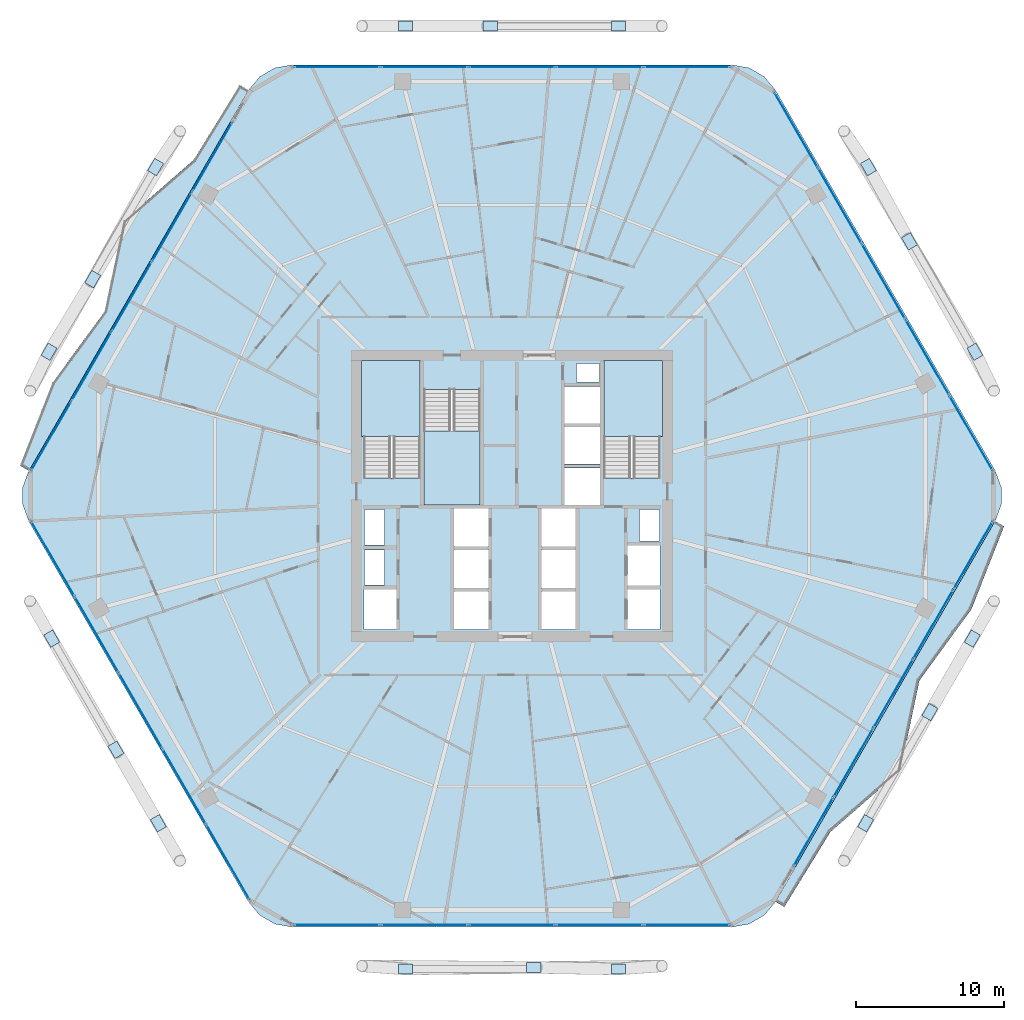
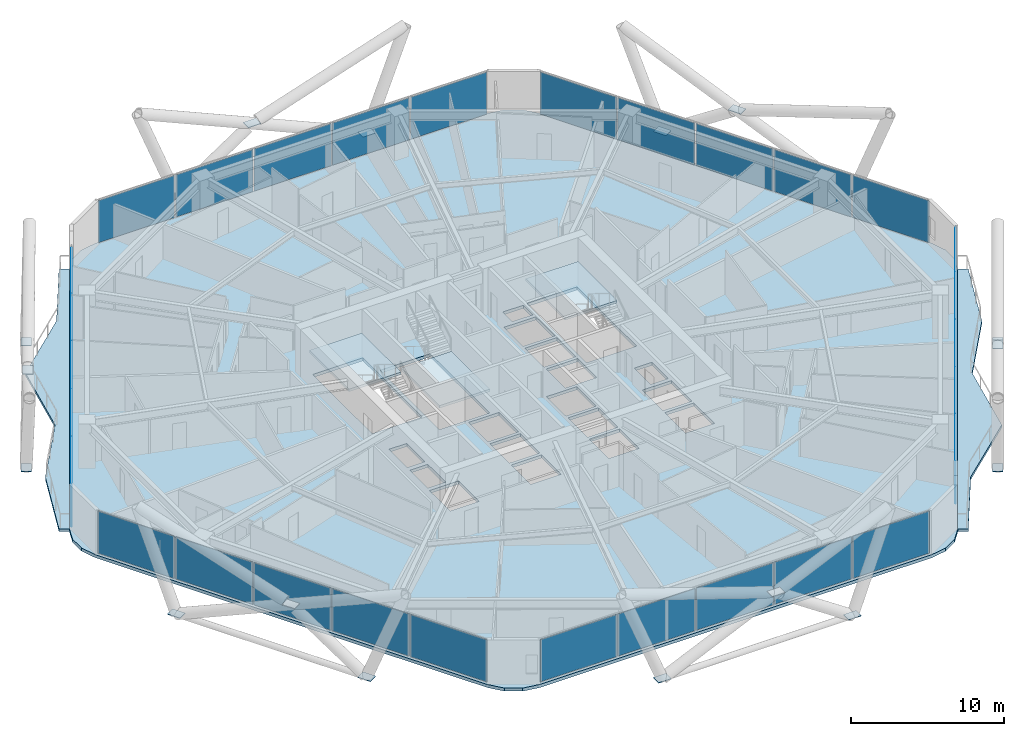
# One storey, part 26 of 34: 48 plates, 6 slabs, 9 elements without a shape of their own.
"""IFC4 building model written with IfcOpenShell, lengths in metres."""

from ifc_helpers import new_model, si_unit, direction, frame, origin, origin_2d, place, context, subcontext, project, spatial, polyline, rectangle, outline, extrude, material, layer, layer_set, type_object, element, aggregate, save


model = new_model("IFC4")

# Units and contexts
model_context = context("Model", 3, precision=1e-05, world=origin(), true_north=direction((0.0, 1.0)))
body_context = subcontext(model_context, "Body", "Model", "MODEL_VIEW")
ifc_project = project(units=[si_unit("LENGTHUNIT", "METRE"), si_unit("AREAUNIT", "SQUARE_METRE"), si_unit("VOLUMEUNIT", "CUBIC_METRE"), si_unit("PLANEANGLEUNIT", "RADIAN"), si_unit("MASSUNIT", "GRAM", prefix="KILO")], contexts=[model_context])

# Site, building, storey
site_placement = place(None, origin())
site = spatial("IfcSite", under=ifc_project, at=site_placement, CompositionType="ELEMENT")
building_placement = place(site_placement, origin())
building = spatial("IfcBuilding", under=site, at=building_placement, Name="Zuhravey Tower", CompositionType="ELEMENT")
storey_placement = place(building_placement, frame((0.0, 0.0, 130.39990234375)))
storey = spatial("IfcBuildingStorey", under=building, at=storey_placement, Name="L32", CompositionType="ELEMENT", Elevation=130.39990234375)

# Plates
ifc_material_1 = material(Name="Steel SM460", Category="steel")
ifc_layer_1 = layer(ifc_material_1, 0.0400390625)
ifc_layer_set_1 = layer_set([ifc_layer_1], Name="Steel SM460")
plate_type_1 = type_object("IfcPlateType", Name="Exoskeleton Zone 1 Node Plate ND1", PredefinedType="SHEET", material=ifc_layer_set_1)
for number, where, z_axis, x_axis, name in (
    (1, (67.247802734375, 41.734130859375, -0.48388671875), (0.0, 0.0, 1.0), (-0.5, 0.866025403784, 0.0), "L32 Exoskeleton Node Gusset L32-01"),
    (2, (60.053955078125, 54.1943359375, -0.48388671875), (0.0, 0.0, 1.0), (-0.5, 0.866025403784, 0.0), "L32 Exoskeleton Node Gusset L32-02"),
    (3, (43.19384765625, 63.718505859375, -0.48388671875), (0.0, 0.0, 1.0), (-1.0, 0.0, 0.0), "L32 Exoskeleton Node Gusset L32-03"),
    (4, (28.80615234375, 63.718505859375, -0.48388671875), (0.0, 0.0, 1.0), (-1.0, 0.0, 0.0), "L32 Exoskeleton Node Gusset L32-04"),
    (5, (11.946044921875, 54.1943359375, -0.48388671875), (0.0, 0.0, 1.0), (-0.5, -0.866025403784, 0.0), "L32 Exoskeleton Node Gusset L32-05"),
    (6, (4.752197265625, 41.734130859375, -0.48388671875), (0.0, 0.0, 1.0), (-0.5, -0.866025403784, 0.0), "L32 Exoskeleton Node Gusset L32-06"),
    (7, (4.93408203125, 22.370849609375, -0.48388671875), (0.0, 0.0, 1.0), (0.5, -0.866025403784, 0.0), "L32 Exoskeleton Node Gusset L32-07"),
    (8, (12.1279296875, 9.91064453125, -0.48388671875), (0.0, 0.0, 1.0), (0.5, -0.866025403784, 0.0), "L32 Exoskeleton Node Gusset L32-08"),
    (9, (28.80615234375, 0.071533203125, -0.48388671875), (0.0, 0.0, 1.0), (1.0, 0.0, 0.0), "L32 Exoskeleton Node Gusset L32-09"),
    (10, (43.19384765625, 0.071533203125, -0.48388671875), (0.0, 0.0, 1.0), (1.0, 0.0, 0.0), "L32 Exoskeleton Node Gusset L32-10"),
    (11, (59.8720703125, 9.91064453125, -0.48388671875), (0.0, 0.0, 1.0), (0.5, 0.866025403784, 0.0), "L32 Exoskeleton Node Gusset L32-11"),
    (12, (67.06591796875, 22.370849609375, -0.48388671875), (0.0, 0.0, 1.0), (0.5, 0.866025403784, 0.0), "L32 Exoskeleton Node Gusset L32-12"),
    (13, (62.82421875, 49.18603515625, 3.316162109375), (0.0, 0.0, 1.0), (-0.5, 0.866025403784, 0.0), "L32 Face 1 Diagrid X-Crossing Plate"),
    (14, (34.528564453125, 63.718505859375, 3.316162109375), (0.0, 0.0, 1.0), (-1.0, 0.0, 0.0), "L32 Face 2 Diagrid X-Crossing Plate"),
    (15, (7.704345703125, 46.637451171875, 3.316162109375), (0.0, 0.0, 1.0), (-0.5, -0.866025403784, 0.0), "L32 Face 3 Diagrid X-Crossing Plate"),
    (16, (9.266845703125, 14.866455078125, 3.316162109375), (0.0, 0.0, 1.0), (0.5, -0.866025403784, 0.0), "L32 Face 4 Diagrid X-Crossing Plate"),
    (17, (37.471435546875, 0.176513671875, 3.316162109375), (0.0, 0.0, 1.0), (1.0, 0.0, 0.0), "L32 Face 5 Diagrid X-Crossing Plate"),
    (18, (64.204833984375, 17.4150390625, 3.316162109375), (0.0, 0.0, 1.0), (0.5, 0.866025403784, 0.0), "L32 Face 6 Diagrid X-Crossing Plate"),
):
    element("IfcPlate", number, at=place(storey_placement, frame(where, z_axis=z_axis, x_axis=x_axis)), inside=storey, type_object=plate_type_1, Name=name, PredefinedType="SHEET", context=body_context, shape_type="SweptSolid", body=[
        extrude(rectangle(XDim=0.9599609375, YDim=0.699951171875, at=origin_2d()), origin(), (0.0, 0.0, 1.0), 0.0400390625),
    ])

# Slabs
ifc_material_2 = material(Name="Concrete C50/60", Category="concrete")
ifc_layer_2 = layer(ifc_material_2, 0.25)
ifc_layer_set_2 = layer_set([ifc_layer_2], Name="Concrete C50/60")
slab_type_1 = type_object("IfcSlabType", Name="Residential Acoustic Slab 250", PredefinedType="FLOOR", material=ifc_layer_set_2)
slab_1_placement = place(storey_placement, frame((0.0, 0.0, -0.25)))
element("IfcSlab", 19, at=slab_1_placement, inside=storey, type_object=slab_type_1, Name="L32 Floor Slab FS25", PredefinedType="FLOOR", context=body_context, shape_type="SweptSolid", body=[
    extrude(outline(polyline([(68.618408203125, 30.300048828125), (69.0224609375, 31.40966796875), (69.0224609375, 32.59033203125), (68.618408203125, 33.699951171875), (53.781494140625, 59.3984375), (53.0224609375, 60.302978515625), (52.0, 60.893310546875), (50.8369140625, 61.098388671875), (21.1630859375, 61.098388671875), (20.0, 60.893310546875), (18.9775390625, 60.302978515625), (18.218505859375, 59.3984375), (3.381591796875, 33.699951171875), (2.9775390625, 32.59033203125), (2.9775390625, 31.40966796875), (3.381591796875, 30.300048828125), (18.218505859375, 4.6015625), (18.9775390625, 3.697021484375), (20.0, 3.106689453125), (21.1630859375, 2.901611328125), (50.8369140625, 2.901611328125), (52.0, 3.106689453125), (53.0224609375, 3.697021484375), (53.781494140625, 4.6015625), (68.618408203125, 30.300048828125)]), holes=[polyline([(29.800048828125, 33.20068359375), (29.800048828125, 41.0), (26.0, 41.0), (26.0, 33.20068359375), (29.800048828125, 33.20068359375)]), polyline([(46.0, 33.20068359375), (46.0, 41.0), (42.199951171875, 41.0), (42.199951171875, 33.20068359375), (46.0, 33.20068359375)]), polyline([(30.050048828125, 39.199462890625), (30.050048828125, 31.39990234375), (33.85009765625, 31.39990234375), (33.85009765625, 39.199462890625), (30.050048828125, 39.199462890625)]), polyline([(32.10009765625, 23.0), (34.39990234375, 23.0), (34.39990234375, 25.550048828125), (32.10009765625, 25.550048828125), (32.10009765625, 23.0)]), polyline([(32.10009765625, 25.800048828125), (34.39990234375, 25.800048828125), (34.39990234375, 28.35009765625), (32.10009765625, 28.35009765625), (32.10009765625, 25.800048828125)]), polyline([(32.10009765625, 28.60009765625), (34.39990234375, 28.60009765625), (34.39990234375, 31.14990234375), (32.10009765625, 31.14990234375), (32.10009765625, 28.60009765625)]), polyline([(38.0, 23.0), (40.300048828125, 23.0), (40.300048828125, 25.550048828125), (38.0, 25.550048828125), (38.0, 23.0)]), polyline([(38.0, 25.800048828125), (40.300048828125, 25.800048828125), (40.300048828125, 28.35009765625), (38.0, 28.35009765625), (38.0, 25.800048828125)]), polyline([(38.0, 28.60009765625), (40.300048828125, 28.60009765625), (40.300048828125, 31.14990234375), (38.0, 31.14990234375), (38.0, 28.60009765625)]), polyline([(39.550048828125, 31.39990234375), (41.949951171875, 31.39990234375), (41.949951171875, 33.89990234375), (39.550048828125, 33.89990234375), (39.550048828125, 31.39990234375)]), polyline([(39.550048828125, 34.14990234375), (41.949951171875, 34.14990234375), (41.949951171875, 36.64990234375), (39.550048828125, 36.64990234375), (39.550048828125, 34.14990234375)]), polyline([(39.550048828125, 36.89990234375), (41.949951171875, 36.89990234375), (41.949951171875, 39.39990234375), (39.550048828125, 39.39990234375), (39.550048828125, 36.89990234375)]), polyline([(26.0, 23.0), (28.199951171875, 23.0), (28.199951171875, 25.699951171875), (26.0, 25.699951171875), (26.0, 23.0)]), polyline([(43.800048828125, 23.0), (46.0, 23.0), (46.0, 25.699951171875), (43.800048828125, 25.699951171875), (43.800048828125, 23.0)]), polyline([(43.800048828125, 25.949951171875), (46.0, 25.949951171875), (46.0, 28.64990234375), (43.800048828125, 28.64990234375), (43.800048828125, 25.949951171875)]), polyline([(26.050048828125, 26.0), (27.39990234375, 26.0), (27.39990234375, 28.35009765625), (26.050048828125, 28.35009765625), (26.050048828125, 26.0)]), polyline([(26.050048828125, 28.699951171875), (27.39990234375, 28.699951171875), (27.39990234375, 31.10009765625), (26.050048828125, 31.10009765625), (26.050048828125, 28.699951171875)]), polyline([(44.60009765625, 28.949951171875), (45.949951171875, 28.949951171875), (45.949951171875, 31.10009765625), (44.60009765625, 31.10009765625), (44.60009765625, 28.949951171875)]), polyline([(40.35009765625, 39.699951171875), (41.89990234375, 39.699951171875), (41.89990234375, 40.949951171875), (40.35009765625, 40.949951171875), (40.35009765625, 39.699951171875)])]), origin(), (0.0, 0.0, 1.0), 0.25),
])
ifc_material_3 = material(Name="Concrete C40/50", Category="concrete")
ifc_layer_3 = layer(ifc_material_3, 0.219970703125)
ifc_layer_set_3 = layer_set([ifc_layer_3], Name="Concrete C40/50")
slab_type_2 = type_object("IfcSlabType", Name="Sinusoidal Residential Wave Balcony 220", PredefinedType="FLOOR", material=ifc_layer_set_3)
slab_2_placement = place(storey_placement, frame((0.0, 0.0, -0.219970703125)))
element("IfcSlab", 20, at=slab_2_placement, inside=storey, type_object=slab_type_2, Name="L32 Face 3 Wave Balcony WB22", PredefinedType="FLOOR", context=body_context, shape_type="SweptSolid", body=[
    extrude(outline(polyline([(18.227294921875, 59.383544921875), (3.398681640625, 33.699951171875), (2.79248046875, 34.050048828125), (4.98486328125, 39.63330078125), (8.50244140625, 44.451416015625), (9.785888671875, 50.55908203125), (14.513916015625, 54.678466796875), (17.62109375, 59.7333984375), (18.227294921875, 59.383544921875)])), origin(), (0.0, 0.0, 1.0), 0.219970703125),
])
slab_3_placement = place(storey_placement, frame((0.0, 0.0, -0.219970703125)))
element("IfcSlab", 21, at=slab_3_placement, inside=storey, type_object=slab_type_2, Name="L32 Face 6 Wave Balcony WB22", PredefinedType="FLOOR", context=body_context, shape_type="SweptSolid", body=[
    extrude(outline(polyline([(53.772705078125, 4.616455078125), (68.601318359375, 30.300048828125), (69.20751953125, 29.949951171875), (67.01513671875, 24.36669921875), (63.49755859375, 19.548583984375), (62.214111328125, 13.44091796875), (57.486083984375, 9.321533203125), (54.37890625, 4.2666015625), (53.772705078125, 4.616455078125)])), origin(), (0.0, 0.0, 1.0), 0.219970703125),
])

# Stair, slab
stair_type = type_object("IfcStairType", Name="Housing Storey Stair Assembly 3800", PredefinedType="HALF_TURN_STAIR", material=ifc_material_3)
stair_1_placement = place(storey_placement, origin())
stair_1 = element("IfcStair", 22, at=stair_1_placement, inside=storey, type_object=stair_type, Name="L32 Core Exit Stair ST1", PredefinedType="HALF_TURN_STAIR")
ifc_layer_4 = layer(ifc_material_3, 0.199951171875)
ifc_layer_set_4 = layer_set([ifc_layer_4], Name="Concrete C40/50")
slab_type_3 = type_object("IfcSlabType", Name="Stair Landing Slab 200", PredefinedType="LANDING", material=ifc_layer_set_4)
slab_4_placement = place(storey_placement, frame((0.0, 0.0, 1.7001953125)))
slab_4 = element("IfcSlab", 23, at=slab_4_placement, type_object=slab_type_3, Name="ST1 landing 1", PredefinedType="LANDING", context=body_context, shape_type="SweptSolid", body=[
    extrude(outline(polyline([(29.800048828125, 36.0), (29.800048828125, 41.14794921875), (25.85205078125, 41.14794921875), (25.85205078125, 36.0), (29.800048828125, 36.0)])), origin(), (0.0, 0.0, 1.0), 0.199951171875),
])
aggregate(stair_1, [slab_4])

stair_2_placement = place(storey_placement, origin())
stair_2 = element("IfcStair", 24, at=stair_2_placement, inside=storey, type_object=stair_type, Name="L32 Core Exit Stair ST2", PredefinedType="HALF_TURN_STAIR")
slab_5_placement = place(storey_placement, frame((0.0, 0.0, 1.7001953125)))
slab_5 = element("IfcSlab", 25, at=slab_5_placement, type_object=slab_type_3, Name="ST2 landing 1", PredefinedType="LANDING", context=body_context, shape_type="SweptSolid", body=[
    extrude(outline(polyline([(46.14794921875, 36.0), (46.14794921875, 41.14794921875), (42.199951171875, 41.14794921875), (42.199951171875, 36.0), (46.14794921875, 36.0)])), origin(), (0.0, 0.0, 1.0), 0.199951171875),
])
aggregate(stair_2, [slab_5])

stair_3_placement = place(storey_placement, origin())
stair_3 = element("IfcStair", 26, at=stair_3_placement, inside=storey, type_object=stair_type, Name="L32 Core Exit Stair ST3", PredefinedType="HALF_TURN_STAIR")
slab_6_placement = place(storey_placement, frame((0.0, 0.0, 1.7001953125)))
slab_6 = element("IfcSlab", 27, at=slab_6_placement, type_object=slab_type_3, Name="ST3 landing 1", PredefinedType="LANDING", context=body_context, shape_type="SweptSolid", body=[
    extrude(outline(polyline([(30.050048828125, 36.39990234375), (30.050048828125, 31.39990234375), (33.85009765625, 31.39990234375), (33.85009765625, 36.39990234375), (30.050048828125, 36.39990234375)])), origin(), (0.0, 0.0, 1.0), 0.199951171875),
])
aggregate(stair_3, [slab_6])

# Curtain wall, plates
ifc_material_4 = material(Name="Thermally broken anodised aluminium", Category="aluminium")
curtain_wall_type = type_object("IfcCurtainWallType", Name="Zone 1-2 Residential Curtain Wall CW3", PredefinedType="NOTDEFINED", material=ifc_material_4)
curtain_wall_1_placement = place(storey_placement, origin())
curtain_wall_1 = element("IfcCurtainWall", 28, at=curtain_wall_1_placement, inside=storey, type_object=curtain_wall_type, Name="L32 CW3 CW-L32-F6-1", PredefinedType="NOTDEFINED")
ifc_material_5 = material(Name="Triple low-E insulated vision glass", Category="glass")
ifc_layer_5 = layer(ifc_material_5, 0.0419921875)
ifc_layer_set_5 = layer_set([ifc_layer_5], Name="Triple low-E insulated vision glass")
plate_type_2 = type_object("IfcPlateType", Name="Triple Low-E Vision Panel", PredefinedType="CURTAIN_PANEL", material=ifc_layer_set_5)
plate_1_placement = place(storey_placement, frame((67.118896484375, 27.982421875, 0.090087890625), z_axis=(0.0, 0.0, 1.0), x_axis=(-0.499999567908, -0.866025653253, 0.0)))
plate_1 = element("IfcPlate", 29, at=plate_1_placement, type_object=plate_type_2, Name="CW3 panel 1.1", PredefinedType="CURTAIN_PANEL", context=body_context, shape_type="SweptSolid", body=[
    extrude(rectangle(XDim=5.258544921875, YDim=0.0419921875, at=origin_2d()), origin(), (0.0, 0.0, 1.0), 3.3701171875),
])
plate_2_placement = place(storey_placement, frame((64.433349609375, 23.3310546875, 0.090087890625), z_axis=(0.0, 0.0, 1.0), x_axis=(-0.499999567908, -0.866025653253, 0.0)))
plate_2 = element("IfcPlate", 30, at=plate_2_placement, type_object=plate_type_2, Name="CW3 panel 2.1", PredefinedType="CURTAIN_PANEL", context=body_context, shape_type="SweptSolid", body=[
    extrude(rectangle(XDim=5.3037109375, YDim=0.0419921875, at=origin_2d()), origin(), (0.0, 0.0, 1.0), 3.3701171875),
])
plate_3_placement = place(storey_placement, frame((61.736572265625, 18.659912109375, 0.090087890625), z_axis=(0.0, 0.0, 1.0), x_axis=(-0.499999567908, -0.866025653253, 0.0)))
plate_3 = element("IfcPlate", 31, at=plate_3_placement, type_object=plate_type_2, Name="CW3 panel 3.1", PredefinedType="CURTAIN_PANEL", context=body_context, shape_type="SweptSolid", body=[
    extrude(rectangle(XDim=5.3037109375, YDim=0.0419921875, at=origin_2d()), origin(), (0.0, 0.0, 1.0), 3.3701171875),
])
plate_4_placement = place(storey_placement, frame((59.039794921875, 13.989013671875, 0.090087890625), z_axis=(0.0, 0.0, 1.0), x_axis=(-0.499999567908, -0.866025653253, 0.0)))
plate_4 = element("IfcPlate", 32, at=plate_4_placement, type_object=plate_type_2, Name="CW3 panel 4.1", PredefinedType="CURTAIN_PANEL", context=body_context, shape_type="SweptSolid", body=[
    extrude(rectangle(XDim=5.3037109375, YDim=0.0419921875, at=origin_2d()), origin(), (0.0, 0.0, 1.0), 3.3701171875),
])
plate_5_placement = place(storey_placement, frame((56.354248046875, 9.33740234375, 0.090087890625), z_axis=(0.0, 0.0, 1.0), x_axis=(-0.499999567908, -0.866025653253, 0.0)))
plate_5 = element("IfcPlate", 33, at=plate_5_placement, type_object=plate_type_2, Name="CW3 panel 5.1", PredefinedType="CURTAIN_PANEL", context=body_context, shape_type="SweptSolid", body=[
    extrude(rectangle(XDim=5.258544921875, YDim=0.0419921875, at=origin_2d()), origin(), (0.0, 0.0, 1.0), 3.3701171875),
])
aggregate(curtain_wall_1, [plate_1, plate_2, plate_3, plate_4, plate_5])

curtain_wall_2_placement = place(storey_placement, origin())
curtain_wall_2 = element("IfcCurtainWall", 34, at=curtain_wall_2_placement, inside=storey, type_object=curtain_wall_type, Name="L32 CW3 CW-L32-F5-1", PredefinedType="NOTDEFINED")
plate_6_placement = place(storey_placement, frame((47.817138671875, 3.04150390625, 0.090087890625), z_axis=(0.0, 0.0, 1.0), x_axis=(-1.0, 0.0, 0.0)))
plate_6 = element("IfcPlate", 35, at=plate_6_placement, type_object=plate_type_2, Name="CW3 panel 1.1", PredefinedType="CURTAIN_PANEL", context=body_context, shape_type="SweptSolid", body=[
    extrude(rectangle(XDim=5.784912109375, YDim=0.0419921875, at=origin_2d()), origin(), (0.0, 0.0, 1.0), 3.3701171875),
])
plate_7_placement = place(storey_placement, frame((41.919921875, 3.04150390625, 0.090087890625), z_axis=(0.0, 0.0, 1.0), x_axis=(-1.0, 0.0, 0.0)))
plate_7 = element("IfcPlate", 36, at=plate_7_placement, type_object=plate_type_2, Name="CW3 panel 2.1", PredefinedType="CURTAIN_PANEL", context=body_context, shape_type="SweptSolid", body=[
    extrude(rectangle(XDim=5.829833984375, YDim=0.0419921875, at=origin_2d()), origin(), (0.0, 0.0, 1.0), 3.3701171875),
])
plate_8_placement = place(storey_placement, frame((36.0, 3.04150390625, 0.090087890625), z_axis=(0.0, 0.0, 1.0), x_axis=(-1.0, 0.0, 0.0)))
plate_8 = element("IfcPlate", 37, at=plate_8_placement, type_object=plate_type_2, Name="CW3 panel 3.1", PredefinedType="CURTAIN_PANEL", context=body_context, shape_type="SweptSolid", body=[
    extrude(rectangle(XDim=5.829833984375, YDim=0.0419921875, at=origin_2d()), origin(), (0.0, 0.0, 1.0), 3.3701171875),
])
plate_9_placement = place(storey_placement, frame((30.080078125, 3.04150390625, 0.090087890625), z_axis=(0.0, 0.0, 1.0), x_axis=(-1.0, 0.0, 0.0)))
plate_9 = element("IfcPlate", 38, at=plate_9_placement, type_object=plate_type_2, Name="CW3 panel 4.1", PredefinedType="CURTAIN_PANEL", context=body_context, shape_type="SweptSolid", body=[
    extrude(rectangle(XDim=5.829833984375, YDim=0.0419921875, at=origin_2d()), origin(), (0.0, 0.0, 1.0), 3.3701171875),
])
plate_10_placement = place(storey_placement, frame((24.182861328125, 3.04150390625, 0.090087890625), z_axis=(0.0, 0.0, 1.0), x_axis=(-1.0, 0.0, 0.0)))
plate_10 = element("IfcPlate", 39, at=plate_10_placement, type_object=plate_type_2, Name="CW3 panel 5.1", PredefinedType="CURTAIN_PANEL", context=body_context, shape_type="SweptSolid", body=[
    extrude(rectangle(XDim=5.784912109375, YDim=0.0419921875, at=origin_2d()), origin(), (0.0, 0.0, 1.0), 3.3701171875),
])
aggregate(curtain_wall_2, [plate_6, plate_7, plate_8, plate_9, plate_10])

curtain_wall_3_placement = place(storey_placement, origin())
curtain_wall_3 = element("IfcCurtainWall", 40, at=curtain_wall_3_placement, inside=storey, type_object=curtain_wall_type, Name="L32 CW3 CW-L32-F4-1", PredefinedType="NOTDEFINED")
plate_11_placement = place(storey_placement, frame((16.829833984375, 7.286865234375, 0.090087890625), z_axis=(0.0, 0.0, 1.0), x_axis=(-0.499999794119, 0.86602552265, 0.0)))
plate_11 = element("IfcPlate", 41, at=plate_11_placement, type_object=plate_type_2, Name="CW3 panel 1.1", PredefinedType="CURTAIN_PANEL", context=body_context, shape_type="SweptSolid", body=[
    extrude(rectangle(XDim=5.784912109375, YDim=0.0419921875, at=origin_2d()), origin(), (0.0, 0.0, 1.0), 3.3701171875),
])
plate_12_placement = place(storey_placement, frame((13.881103515625, 12.39404296875, 0.090087890625), z_axis=(0.0, 0.0, 1.0), x_axis=(-0.499999794119, 0.86602552265, 0.0)))
plate_12 = element("IfcPlate", 42, at=plate_12_placement, type_object=plate_type_2, Name="CW3 panel 2.1", PredefinedType="CURTAIN_PANEL", context=body_context, shape_type="SweptSolid", body=[
    extrude(rectangle(XDim=5.829833984375, YDim=0.0419921875, at=origin_2d()), origin(), (0.0, 0.0, 1.0), 3.3701171875),
])
plate_13_placement = place(storey_placement, frame((10.921142578125, 17.520751953125, 0.090087890625), z_axis=(0.0, 0.0, 1.0), x_axis=(-0.499999794119, 0.86602552265, 0.0)))
plate_13 = element("IfcPlate", 43, at=plate_13_placement, type_object=plate_type_2, Name="CW3 panel 3.1", PredefinedType="CURTAIN_PANEL", context=body_context, shape_type="SweptSolid", body=[
    extrude(rectangle(XDim=5.829833984375, YDim=0.0419921875, at=origin_2d()), origin(), (0.0, 0.0, 1.0), 3.3701171875),
])
plate_14_placement = place(storey_placement, frame((7.96142578125, 22.6474609375, 0.090087890625), z_axis=(0.0, 0.0, 1.0), x_axis=(-0.499999794119, 0.86602552265, 0.0)))
plate_14 = element("IfcPlate", 44, at=plate_14_placement, type_object=plate_type_2, Name="CW3 panel 4.1", PredefinedType="CURTAIN_PANEL", context=body_context, shape_type="SweptSolid", body=[
    extrude(rectangle(XDim=5.829833984375, YDim=0.0419921875, at=origin_2d()), origin(), (0.0, 0.0, 1.0), 3.3701171875),
])
plate_15_placement = place(storey_placement, frame((5.0126953125, 27.754638671875, 0.090087890625), z_axis=(0.0, 0.0, 1.0), x_axis=(-0.499999794119, 0.86602552265, 0.0)))
plate_15 = element("IfcPlate", 45, at=plate_15_placement, type_object=plate_type_2, Name="CW3 panel 5.1", PredefinedType="CURTAIN_PANEL", context=body_context, shape_type="SweptSolid", body=[
    extrude(rectangle(XDim=5.784912109375, YDim=0.0419921875, at=origin_2d()), origin(), (0.0, 0.0, 1.0), 3.3701171875),
])
aggregate(curtain_wall_3, [plate_11, plate_12, plate_13, plate_14, plate_15])

curtain_wall_4_placement = place(storey_placement, origin())
curtain_wall_4 = element("IfcCurtainWall", 46, at=curtain_wall_4_placement, inside=storey, type_object=curtain_wall_type, Name="L32 CW3 CW-L32-F3-1", PredefinedType="NOTDEFINED")
plate_16_placement = place(storey_placement, frame((4.895263671875, 36.041748046875, 0.090087890625), z_axis=(0.0, 0.0, 1.0), x_axis=(0.500000416781, 0.866025163156, 0.0)))
plate_16 = element("IfcPlate", 47, at=plate_16_placement, type_object=plate_type_2, Name="CW3 panel 1.1", PredefinedType="CURTAIN_PANEL", context=body_context, shape_type="SweptSolid", body=[
    extrude(rectangle(XDim=5.314697265625, YDim=0.0419921875, at=origin_2d()), origin(), (0.0, 0.0, 1.0), 3.3701171875),
])
plate_17_placement = place(storey_placement, frame((7.60888671875, 40.741943359375, 0.090087890625), z_axis=(0.0, 0.0, 1.0), x_axis=(0.500000416781, 0.866025163156, 0.0)))
plate_17 = element("IfcPlate", 48, at=plate_17_placement, type_object=plate_type_2, Name="CW3 panel 2.1", PredefinedType="CURTAIN_PANEL", context=body_context, shape_type="SweptSolid", body=[
    extrude(rectangle(XDim=5.35986328125, YDim=0.0419921875, at=origin_2d()), origin(), (0.0, 0.0, 1.0), 3.3701171875),
])
plate_18_placement = place(storey_placement, frame((10.333740234375, 45.461669921875, 0.090087890625), z_axis=(0.0, 0.0, 1.0), x_axis=(0.500000416781, 0.866025163156, 0.0)))
plate_18 = element("IfcPlate", 49, at=plate_18_placement, type_object=plate_type_2, Name="CW3 panel 3.1", PredefinedType="CURTAIN_PANEL", context=body_context, shape_type="SweptSolid", body=[
    extrude(rectangle(XDim=5.35986328125, YDim=0.0419921875, at=origin_2d()), origin(), (0.0, 0.0, 1.0), 3.3701171875),
])
plate_19_placement = place(storey_placement, frame((13.05859375, 50.181396484375, 0.090087890625), z_axis=(0.0, 0.0, 1.0), x_axis=(0.500000416781, 0.866025163156, 0.0)))
plate_19 = element("IfcPlate", 50, at=plate_19_placement, type_object=plate_type_2, Name="CW3 panel 4.1", PredefinedType="CURTAIN_PANEL", context=body_context, shape_type="SweptSolid", body=[
    extrude(rectangle(XDim=5.35986328125, YDim=0.0419921875, at=origin_2d()), origin(), (0.0, 0.0, 1.0), 3.3701171875),
])
plate_20_placement = place(storey_placement, frame((15.772216796875, 54.881591796875, 0.090087890625), z_axis=(0.0, 0.0, 1.0), x_axis=(0.500000416781, 0.866025163156, 0.0)))
plate_20 = element("IfcPlate", 51, at=plate_20_placement, type_object=plate_type_2, Name="CW3 panel 5.1", PredefinedType="CURTAIN_PANEL", context=body_context, shape_type="SweptSolid", body=[
    extrude(rectangle(XDim=5.314697265625, YDim=0.0419921875, at=origin_2d()), origin(), (0.0, 0.0, 1.0), 3.3701171875),
])
aggregate(curtain_wall_4, [plate_16, plate_17, plate_18, plate_19, plate_20])

curtain_wall_5_placement = place(storey_placement, origin())
curtain_wall_5 = element("IfcCurtainWall", 52, at=curtain_wall_5_placement, inside=storey, type_object=curtain_wall_type, Name="L32 CW3 CW-L32-F2-1", PredefinedType="NOTDEFINED")
plate_21_placement = place(storey_placement, frame((24.182861328125, 60.95849609375, 0.090087890625), z_axis=(0.0, 0.0, 1.0), x_axis=(1.0, 0.0, 0.0)))
plate_21 = element("IfcPlate", 53, at=plate_21_placement, type_object=plate_type_2, Name="CW3 panel 1.1", PredefinedType="CURTAIN_PANEL", context=body_context, shape_type="SweptSolid", body=[
    extrude(rectangle(XDim=5.784912109375, YDim=0.0419921875, at=origin_2d()), origin(), (0.0, 0.0, 1.0), 3.3701171875),
])
plate_22_placement = place(storey_placement, frame((30.080078125, 60.95849609375, 0.090087890625), z_axis=(0.0, 0.0, 1.0), x_axis=(1.0, 0.0, 0.0)))
plate_22 = element("IfcPlate", 54, at=plate_22_placement, type_object=plate_type_2, Name="CW3 panel 2.1", PredefinedType="CURTAIN_PANEL", context=body_context, shape_type="SweptSolid", body=[
    extrude(rectangle(XDim=5.829833984375, YDim=0.0419921875, at=origin_2d()), origin(), (0.0, 0.0, 1.0), 3.3701171875),
])
plate_23_placement = place(storey_placement, frame((36.0, 60.95849609375, 0.090087890625), z_axis=(0.0, 0.0, 1.0), x_axis=(1.0, 0.0, 0.0)))
plate_23 = element("IfcPlate", 55, at=plate_23_placement, type_object=plate_type_2, Name="CW3 panel 3.1", PredefinedType="CURTAIN_PANEL", context=body_context, shape_type="SweptSolid", body=[
    extrude(rectangle(XDim=5.829833984375, YDim=0.0419921875, at=origin_2d()), origin(), (0.0, 0.0, 1.0), 3.3701171875),
])
plate_24_placement = place(storey_placement, frame((41.919921875, 60.95849609375, 0.090087890625), z_axis=(0.0, 0.0, 1.0), x_axis=(1.0, 0.0, 0.0)))
plate_24 = element("IfcPlate", 56, at=plate_24_placement, type_object=plate_type_2, Name="CW3 panel 4.1", PredefinedType="CURTAIN_PANEL", context=body_context, shape_type="SweptSolid", body=[
    extrude(rectangle(XDim=5.829833984375, YDim=0.0419921875, at=origin_2d()), origin(), (0.0, 0.0, 1.0), 3.3701171875),
])
plate_25_placement = place(storey_placement, frame((47.817138671875, 60.95849609375, 0.090087890625), z_axis=(0.0, 0.0, 1.0), x_axis=(1.0, 0.0, 0.0)))
plate_25 = element("IfcPlate", 57, at=plate_25_placement, type_object=plate_type_2, Name="CW3 panel 5.1", PredefinedType="CURTAIN_PANEL", context=body_context, shape_type="SweptSolid", body=[
    extrude(rectangle(XDim=5.784912109375, YDim=0.0419921875, at=origin_2d()), origin(), (0.0, 0.0, 1.0), 3.3701171875),
])
aggregate(curtain_wall_5, [plate_21, plate_22, plate_23, plate_24, plate_25])

curtain_wall_6_placement = place(storey_placement, origin())
curtain_wall_6 = element("IfcCurtainWall", 58, at=curtain_wall_6_placement, inside=storey, type_object=curtain_wall_type, Name="L32 CW3 CW-L32-F1-1", PredefinedType="NOTDEFINED")
plate_26_placement = place(storey_placement, frame((55.170166015625, 56.713134765625, 0.090087890625), z_axis=(0.0, 0.0, 1.0), x_axis=(0.499999794119, -0.86602552265, 0.0)))
plate_26 = element("IfcPlate", 59, at=plate_26_placement, type_object=plate_type_2, Name="CW3 panel 1.1", PredefinedType="CURTAIN_PANEL", context=body_context, shape_type="SweptSolid", body=[
    extrude(rectangle(XDim=5.784912109375, YDim=0.0419921875, at=origin_2d()), origin(), (0.0, 0.0, 1.0), 3.3701171875),
])
plate_27_placement = place(storey_placement, frame((58.118896484375, 51.60595703125, 0.090087890625), z_axis=(0.0, 0.0, 1.0), x_axis=(0.499999794119, -0.86602552265, 0.0)))
plate_27 = element("IfcPlate", 60, at=plate_27_placement, type_object=plate_type_2, Name="CW3 panel 2.1", PredefinedType="CURTAIN_PANEL", context=body_context, shape_type="SweptSolid", body=[
    extrude(rectangle(XDim=5.829833984375, YDim=0.0419921875, at=origin_2d()), origin(), (0.0, 0.0, 1.0), 3.3701171875),
])
plate_28_placement = place(storey_placement, frame((61.078857421875, 46.479248046875, 0.090087890625), z_axis=(0.0, 0.0, 1.0), x_axis=(0.499999794119, -0.86602552265, 0.0)))
plate_28 = element("IfcPlate", 61, at=plate_28_placement, type_object=plate_type_2, Name="CW3 panel 3.1", PredefinedType="CURTAIN_PANEL", context=body_context, shape_type="SweptSolid", body=[
    extrude(rectangle(XDim=5.829833984375, YDim=0.0419921875, at=origin_2d()), origin(), (0.0, 0.0, 1.0), 3.3701171875),
])
plate_29_placement = place(storey_placement, frame((64.03857421875, 41.3525390625, 0.090087890625), z_axis=(0.0, 0.0, 1.0), x_axis=(0.499999794119, -0.86602552265, 0.0)))
plate_29 = element("IfcPlate", 62, at=plate_29_placement, type_object=plate_type_2, Name="CW3 panel 4.1", PredefinedType="CURTAIN_PANEL", context=body_context, shape_type="SweptSolid", body=[
    extrude(rectangle(XDim=5.829833984375, YDim=0.0419921875, at=origin_2d()), origin(), (0.0, 0.0, 1.0), 3.3701171875),
])
plate_30_placement = place(storey_placement, frame((66.9873046875, 36.245361328125, 0.090087890625), z_axis=(0.0, 0.0, 1.0), x_axis=(0.499999794119, -0.86602552265, 0.0)))
plate_30 = element("IfcPlate", 63, at=plate_30_placement, type_object=plate_type_2, Name="CW3 panel 5.1", PredefinedType="CURTAIN_PANEL", context=body_context, shape_type="SweptSolid", body=[
    extrude(rectangle(XDim=5.784912109375, YDim=0.0419921875, at=origin_2d()), origin(), (0.0, 0.0, 1.0), 3.3701171875),
])
aggregate(curtain_wall_6, [plate_26, plate_27, plate_28, plate_29, plate_30])

save(model, "model.ifc")
